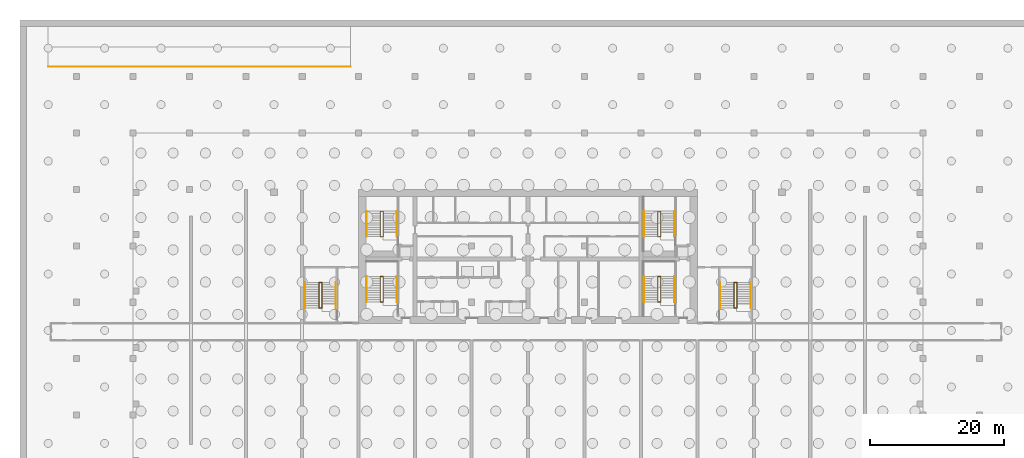
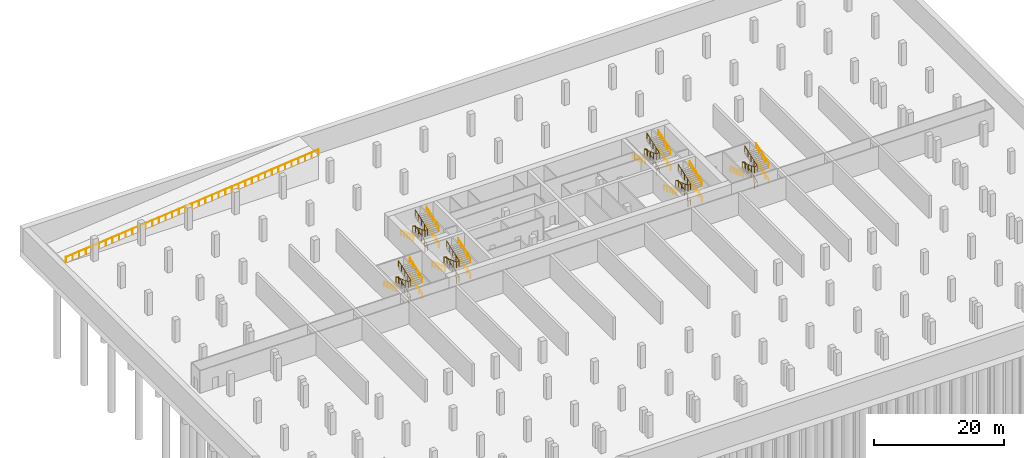
# One storey, part 16 of 17: 25 railings.
"""IFC4 building model written with IfcOpenShell, lengths in metres."""

from ifc_helpers import new_model, si_unit, direction, frame, origin, origin_2d, place, context, subcontext, project, spatial, circle, extrude, source, transform, mapped, material, type_object, element, save


model = new_model("IFC4")

# Units and contexts
model_context = context("Model", 3, precision=1e-05, world=origin(), true_north=direction((0.0, 1.0)))
body_context = subcontext(model_context, "Body", "Model", "MODEL_VIEW")
ifc_project = project(units=[si_unit("LENGTHUNIT", "METRE"), si_unit("AREAUNIT", "SQUARE_METRE"), si_unit("VOLUMEUNIT", "CUBIC_METRE"), si_unit("PLANEANGLEUNIT", "RADIAN"), si_unit("MASSUNIT", "GRAM", prefix="KILO")], contexts=[model_context])

# Site, building, storey
site_placement = place(None, origin())
site = spatial("IfcSite", under=ifc_project, at=site_placement, CompositionType="ELEMENT")
building_placement = place(site_placement, origin())
building = spatial("IfcBuilding", under=site, at=building_placement, Name="Vanashikhar Sky Hotel", CompositionType="ELEMENT")
storey_placement = place(building_placement, frame((0.0, 0.0, -13.5)))
storey = spatial("IfcBuildingStorey", under=building, at=storey_placement, Name="B3", CompositionType="ELEMENT", Elevation=-13.5)

# Railings
ifc_material = material(Name="Steel S355", Category="steel")
railing_type_1 = type_object("IfcRailingType", Name="Stair guard 1100", PredefinedType="GUARDRAIL", material=ifc_material)
shared_shape_1 = source(origin(), body_context, "Body", "SweptSolid", [
    extrude(circle(Radius=0.02392578125, at=origin_2d()), frame((0.0, 0.0, 1.076171875), z_axis=(0.963547848091, 0.0, 0.267536061943), x_axis=(0.0, 1.0, 0.0)), (0.0, 0.0, 1.0), 0.46728515625),
    extrude(circle(Radius=0.02392578125, at=origin_2d()), frame((0.4501953125, 0.0, 1.201171875), z_axis=(0.0, 0.940335516113, 0.340248610777), x_axis=(-1.0, 0.0, 0.0)), (0.0, 0.0, 1.0), 4.041259765625),
    extrude(circle(Radius=0.02392578125, at=origin_2d()), frame((0.4501953125, 3.800048828125, 2.576171875), z_axis=(-0.963547848091, 0.0, 0.267536061943), x_axis=(0.0, -1.0, 0.0)), (0.0, 0.0, 1.0), 0.46728515625),
    extrude(circle(Radius=0.02392578125, at=origin_2d()), frame((0.0, 3.800048828125, 2.701171875), z_axis=(0.0, -0.940335516113, 0.340248610777), x_axis=(1.0, 0.0, 0.0)), (0.0, 0.0, 1.0), 4.041259765625),
    extrude(circle(Radius=0.02392578125, at=origin_2d()), frame((0.0, 0.0, 4.076171875), z_axis=(0.963547848091, 0.0, 0.267536061943), x_axis=(0.0, 1.0, 0.0)), (0.0, 0.0, 1.0), 0.46728515625),
    extrude(circle(Radius=0.02392578125, at=origin_2d()), frame((0.4501953125, 0.0, 4.201171875), z_axis=(0.0, 0.940335516113, 0.340248610777), x_axis=(-1.0, 0.0, 0.0)), (0.0, 0.0, 1.0), 4.041259765625),
    extrude(circle(Radius=0.02099609375, at=origin_2d()), origin(), (0.0, 0.0, 1.0), 1.052001953125),
    extrude(circle(Radius=0.02099609375, at=origin_2d()), frame((0.4501953125, 0.0, 0.125)), (0.0, 0.0, 1.0), 1.052001953125),
    extrude(circle(Radius=0.02099609375, at=origin_2d()), frame((0.4501953125, 0.949951171875, 0.46875)), (0.0, 0.0, 1.0), 1.052001953125),
    extrude(circle(Radius=0.02099609375, at=origin_2d()), frame((0.4501953125, 1.89990234375, 0.8125)), (0.0, 0.0, 1.0), 1.052001953125),
    extrude(circle(Radius=0.02099609375, at=origin_2d()), frame((0.4501953125, 2.85009765625, 1.15625)), (0.0, 0.0, 1.0), 1.052001953125),
    extrude(circle(Radius=0.02099609375, at=origin_2d()), frame((0.4501953125, 3.800048828125, 1.5)), (0.0, 0.0, 1.0), 1.052001953125),
    extrude(circle(Radius=0.02099609375, at=origin_2d()), frame((0.0, 3.800048828125, 1.625)), (0.0, 0.0, 1.0), 1.052001953125),
    extrude(circle(Radius=0.02099609375, at=origin_2d()), frame((0.0, 2.85009765625, 1.96875)), (0.0, 0.0, 1.0), 1.052001953125),
    extrude(circle(Radius=0.02099609375, at=origin_2d()), frame((0.0, 1.89990234375, 2.3125)), (0.0, 0.0, 1.0), 1.052001953125),
    extrude(circle(Radius=0.02099609375, at=origin_2d()), frame((0.0, 0.949951171875, 2.65625)), (0.0, 0.0, 1.0), 1.052001953125),
    extrude(circle(Radius=0.02099609375, at=origin_2d()), frame((0.0, 0.0, 3.0)), (0.0, 0.0, 1.0), 1.052001953125),
    extrude(circle(Radius=0.02099609375, at=origin_2d()), frame((0.4501953125, 0.0, 3.125)), (0.0, 0.0, 1.0), 1.052001953125),
    extrude(circle(Radius=0.02099609375, at=origin_2d()), frame((0.4501953125, 0.949951171875, 3.46875)), (0.0, 0.0, 1.0), 1.052001953125),
    extrude(circle(Radius=0.02099609375, at=origin_2d()), frame((0.4501953125, 1.89990234375, 3.8125)), (0.0, 0.0, 1.0), 1.052001953125),
    extrude(circle(Radius=0.02099609375, at=origin_2d()), frame((0.4501953125, 2.85009765625, 4.15625)), (0.0, 0.0, 1.0), 1.052001953125),
    extrude(circle(Radius=0.02099609375, at=origin_2d()), frame((0.4501953125, 3.800048828125, 4.5)), (0.0, 0.0, 1.0), 1.052001953125),
])
for number, where, name in (
    (1, (28.39990234375, 25.25, 0.0), "Exit stair 1 guard"),
    (2, (28.39990234375, 34.949951171875, 0.0), "Exit stair 5 guard"),
):
    element("IfcRailing", number, at=place(storey_placement, frame(where)), inside=storey, type_object=railing_type_1, Name=name, PredefinedType="GUARDRAIL", context=body_context, shape_type="MappedRepresentation", body=[
        mapped(shared_shape_1, transform((0.0, 0.0, 0.0), scale=1.0)),
    ])
railing_type_2 = type_object("IfcRailingType", Name="Stair handrail 900", PredefinedType="HANDRAIL", material=ifc_material)
shared_shape_2 = source(origin(), body_context, "Body", "SweptSolid", [
    extrude(circle(Radius=0.02392578125, at=origin_2d()), frame((0.0, 0.0, 0.8759765625), z_axis=(0.0, 0.940335516113, 0.340248610777), x_axis=(-1.0, 0.0, 0.0)), (0.0, 0.0, 1.0), 4.041259765625),
    extrude(circle(Radius=0.02099609375, at=origin_2d()), origin(), (0.0, 0.0, 1.0), 0.851806640625),
    extrude(circle(Radius=0.02099609375, at=origin_2d()), frame((0.0, 0.949951171875, 0.34375)), (0.0, 0.0, 1.0), 0.851806640625),
    extrude(circle(Radius=0.02099609375, at=origin_2d()), frame((0.0, 1.89990234375, 0.6875)), (0.0, 0.0, 1.0), 0.851806640625),
    extrude(circle(Radius=0.02099609375, at=origin_2d()), frame((0.0, 2.85009765625, 1.03125)), (0.0, 0.0, 1.0), 0.851806640625),
    extrude(circle(Radius=0.02099609375, at=origin_2d()), frame((0.0, 3.800048828125, 1.375)), (0.0, 0.0, 1.0), 0.851806640625),
])
for number, where, name in (
    (3, (30.89990234375, 25.25, 0.125), "Exit stair 1 handrail"),
    (4, (30.89990234375, 25.25, 3.125), "Exit stair 1 handrail"),
    (5, (72.199951171875, 25.25, 0.125), "Exit stair 2 handrail"),
    (6, (72.199951171875, 25.25, 3.125), "Exit stair 2 handrail"),
    (7, (30.89990234375, 34.949951171875, 0.125), "Exit stair 5 handrail"),
    (8, (30.89990234375, 34.949951171875, 3.125), "Exit stair 5 handrail"),
    (9, (72.199951171875, 34.949951171875, 0.125), "Exit stair 6 handrail"),
    (10, (72.199951171875, 34.949951171875, 3.125), "Exit stair 6 handrail"),
):
    element("IfcRailing", number, at=place(storey_placement, frame(where)), inside=storey, type_object=railing_type_2, Name=name, PredefinedType="HANDRAIL", context=body_context, shape_type="MappedRepresentation", body=[
        mapped(shared_shape_2, transform((0.0, 0.0, 0.0), scale=1.0)),
    ])
shared_shape_3 = source(origin(), body_context, "Body", "SweptSolid", [
    extrude(circle(Radius=0.02392578125, at=origin_2d()), frame((0.0, 0.0, 0.8759765625), z_axis=(0.0, -0.940335516113, 0.340248610777), x_axis=(1.0, 0.0, 0.0)), (0.0, 0.0, 1.0), 4.041259765625),
    extrude(circle(Radius=0.02099609375, at=origin_2d()), origin(), (0.0, 0.0, 1.0), 0.851806640625),
    extrude(circle(Radius=0.02099609375, at=origin_2d()), frame((0.0, -0.949951171875, 0.34375)), (0.0, 0.0, 1.0), 0.851806640625),
    extrude(circle(Radius=0.02099609375, at=origin_2d()), frame((0.0, -1.89990234375, 0.6875)), (0.0, 0.0, 1.0), 0.851806640625),
    extrude(circle(Radius=0.02099609375, at=origin_2d()), frame((0.0, -2.85009765625, 1.03125)), (0.0, 0.0, 1.0), 0.851806640625),
    extrude(circle(Radius=0.02099609375, at=origin_2d()), frame((0.0, -3.800048828125, 1.375)), (0.0, 0.0, 1.0), 0.851806640625),
])
for number, where, name in (
    (11, (26.35009765625, 29.050048828125, 1.625), "Exit stair 1 handrail"),
    (12, (67.64990234375, 29.050048828125, 1.625), "Exit stair 2 handrail"),
    (13, (26.35009765625, 38.75, 1.625), "Exit stair 5 handrail"),
    (14, (67.64990234375, 38.75, 1.625), "Exit stair 6 handrail"),
):
    element("IfcRailing", number, at=place(storey_placement, frame(where)), inside=storey, type_object=railing_type_2, Name=name, PredefinedType="HANDRAIL", context=body_context, shape_type="MappedRepresentation", body=[
        mapped(shared_shape_3, transform((0.0, 0.0, 0.0), scale=1.0)),
    ])
shared_shape_4 = source(origin(), body_context, "Body", "SweptSolid", [
    extrude(circle(Radius=0.02392578125, at=origin_2d()), frame((0.0, 0.0, 1.076171875), z_axis=(0.963510419359, 0.0, 0.267670827299), x_axis=(0.0, 1.0, 0.0)), (0.0, 0.0, 1.0), 0.467041015625),
    extrude(circle(Radius=0.02392578125, at=origin_2d()), frame((0.449951171875, 0.0, 1.201171875), z_axis=(0.0, 0.940335516113, 0.340248610777), x_axis=(-1.0, 0.0, 0.0)), (0.0, 0.0, 1.0), 4.041259765625),
    extrude(circle(Radius=0.02392578125, at=origin_2d()), frame((0.449951171875, 3.800048828125, 2.576171875), z_axis=(-0.963510419359, 0.0, 0.267670827299), x_axis=(0.0, -1.0, 0.0)), (0.0, 0.0, 1.0), 0.467041015625),
    extrude(circle(Radius=0.02392578125, at=origin_2d()), frame((0.0, 3.800048828125, 2.701171875), z_axis=(0.0, -0.940335516113, 0.340248610777), x_axis=(1.0, 0.0, 0.0)), (0.0, 0.0, 1.0), 4.041259765625),
    extrude(circle(Radius=0.02392578125, at=origin_2d()), frame((0.0, 0.0, 4.076171875), z_axis=(0.963510419359, 0.0, 0.267670827299), x_axis=(0.0, 1.0, 0.0)), (0.0, 0.0, 1.0), 0.467041015625),
    extrude(circle(Radius=0.02392578125, at=origin_2d()), frame((0.449951171875, 0.0, 4.201171875), z_axis=(0.0, 0.940335516113, 0.340248610777), x_axis=(-1.0, 0.0, 0.0)), (0.0, 0.0, 1.0), 4.041259765625),
    extrude(circle(Radius=0.02099609375, at=origin_2d()), origin(), (0.0, 0.0, 1.0), 1.052001953125),
    extrude(circle(Radius=0.02099609375, at=origin_2d()), frame((0.449951171875, 0.0, 0.125)), (0.0, 0.0, 1.0), 1.052001953125),
    extrude(circle(Radius=0.02099609375, at=origin_2d()), frame((0.449951171875, 0.949951171875, 0.46875)), (0.0, 0.0, 1.0), 1.052001953125),
    extrude(circle(Radius=0.02099609375, at=origin_2d()), frame((0.449951171875, 1.89990234375, 0.8125)), (0.0, 0.0, 1.0), 1.052001953125),
    extrude(circle(Radius=0.02099609375, at=origin_2d()), frame((0.449951171875, 2.85009765625, 1.15625)), (0.0, 0.0, 1.0), 1.052001953125),
    extrude(circle(Radius=0.02099609375, at=origin_2d()), frame((0.449951171875, 3.800048828125, 1.5)), (0.0, 0.0, 1.0), 1.052001953125),
    extrude(circle(Radius=0.02099609375, at=origin_2d()), frame((0.0, 3.800048828125, 1.625)), (0.0, 0.0, 1.0), 1.052001953125),
    extrude(circle(Radius=0.02099609375, at=origin_2d()), frame((0.0, 2.85009765625, 1.96875)), (0.0, 0.0, 1.0), 1.052001953125),
    extrude(circle(Radius=0.02099609375, at=origin_2d()), frame((0.0, 1.89990234375, 2.3125)), (0.0, 0.0, 1.0), 1.052001953125),
    extrude(circle(Radius=0.02099609375, at=origin_2d()), frame((0.0, 0.949951171875, 2.65625)), (0.0, 0.0, 1.0), 1.052001953125),
    extrude(circle(Radius=0.02099609375, at=origin_2d()), frame((0.0, 0.0, 3.0)), (0.0, 0.0, 1.0), 1.052001953125),
    extrude(circle(Radius=0.02099609375, at=origin_2d()), frame((0.449951171875, 0.0, 3.125)), (0.0, 0.0, 1.0), 1.052001953125),
    extrude(circle(Radius=0.02099609375, at=origin_2d()), frame((0.449951171875, 0.949951171875, 3.46875)), (0.0, 0.0, 1.0), 1.052001953125),
    extrude(circle(Radius=0.02099609375, at=origin_2d()), frame((0.449951171875, 1.89990234375, 3.8125)), (0.0, 0.0, 1.0), 1.052001953125),
    extrude(circle(Radius=0.02099609375, at=origin_2d()), frame((0.449951171875, 2.85009765625, 4.15625)), (0.0, 0.0, 1.0), 1.052001953125),
    extrude(circle(Radius=0.02099609375, at=origin_2d()), frame((0.449951171875, 3.800048828125, 4.5)), (0.0, 0.0, 1.0), 1.052001953125),
])
for number, where, name in (
    (15, (69.699951171875, 25.25, 0.0), "Exit stair 2 guard"),
    (16, (69.699951171875, 34.949951171875, 0.0), "Exit stair 6 guard"),
):
    element("IfcRailing", number, at=place(storey_placement, frame(where)), inside=storey, type_object=railing_type_1, Name=name, PredefinedType="GUARDRAIL", context=body_context, shape_type="MappedRepresentation", body=[
        mapped(shared_shape_4, transform((0.0, 0.0, 0.0), scale=1.0)),
    ])
shared_shape_5 = source(origin(), body_context, "Body", "SweptSolid", [
    extrude(circle(Radius=0.02392578125, at=origin_2d()), frame((0.0, 0.0, 1.076171875), z_axis=(0.963510419359, 0.0, 0.267670827299), x_axis=(0.0, 1.0, 0.0)), (0.0, 0.0, 1.0), 0.467041015625),
    extrude(circle(Radius=0.02392578125, at=origin_2d()), frame((0.449951171875, 0.0, 1.201171875), z_axis=(0.0, 0.940328521504, 0.340267940961), x_axis=(-1.0, 0.0, 0.0)), (0.0, 0.0, 1.0), 4.041015625),
    extrude(circle(Radius=0.02392578125, at=origin_2d()), frame((0.449951171875, 3.7998046875, 2.576171875), z_axis=(-0.963510419359, 0.0, 0.267670827299), x_axis=(0.0, -1.0, 0.0)), (0.0, 0.0, 1.0), 0.467041015625),
    extrude(circle(Radius=0.02392578125, at=origin_2d()), frame((0.0, 3.7998046875, 2.701171875), z_axis=(0.0, -0.940328521504, 0.340267940961), x_axis=(1.0, 0.0, 0.0)), (0.0, 0.0, 1.0), 4.041015625),
    extrude(circle(Radius=0.02392578125, at=origin_2d()), frame((0.0, 0.0, 4.076171875), z_axis=(0.963510419359, 0.0, 0.267670827299), x_axis=(0.0, 1.0, 0.0)), (0.0, 0.0, 1.0), 0.467041015625),
    extrude(circle(Radius=0.02392578125, at=origin_2d()), frame((0.449951171875, 0.0, 4.201171875), z_axis=(0.0, 0.940328521504, 0.340267940961), x_axis=(-1.0, 0.0, 0.0)), (0.0, 0.0, 1.0), 4.041015625),
    extrude(circle(Radius=0.02099609375, at=origin_2d()), origin(), (0.0, 0.0, 1.0), 1.052001953125),
    extrude(circle(Radius=0.02099609375, at=origin_2d()), frame((0.449951171875, 0.0, 0.125)), (0.0, 0.0, 1.0), 1.052001953125),
    extrude(circle(Radius=0.02099609375, at=origin_2d()), frame((0.449951171875, 0.949951171875, 0.46875)), (0.0, 0.0, 1.0), 1.052001953125),
    extrude(circle(Radius=0.02099609375, at=origin_2d()), frame((0.449951171875, 1.89990234375, 0.8125)), (0.0, 0.0, 1.0), 1.052001953125),
    extrude(circle(Radius=0.02099609375, at=origin_2d()), frame((0.449951171875, 2.849853515625, 1.15625)), (0.0, 0.0, 1.0), 1.052001953125),
    extrude(circle(Radius=0.02099609375, at=origin_2d()), frame((0.449951171875, 3.7998046875, 1.5)), (0.0, 0.0, 1.0), 1.052001953125),
    extrude(circle(Radius=0.02099609375, at=origin_2d()), frame((0.0, 3.7998046875, 1.625)), (0.0, 0.0, 1.0), 1.052001953125),
    extrude(circle(Radius=0.02099609375, at=origin_2d()), frame((0.0, 2.849853515625, 1.96875)), (0.0, 0.0, 1.0), 1.052001953125),
    extrude(circle(Radius=0.02099609375, at=origin_2d()), frame((0.0, 1.89990234375, 2.3125)), (0.0, 0.0, 1.0), 1.052001953125),
    extrude(circle(Radius=0.02099609375, at=origin_2d()), frame((0.0, 0.949951171875, 2.65625)), (0.0, 0.0, 1.0), 1.052001953125),
    extrude(circle(Radius=0.02099609375, at=origin_2d()), frame((0.0, 0.0, 3.0)), (0.0, 0.0, 1.0), 1.052001953125),
    extrude(circle(Radius=0.02099609375, at=origin_2d()), frame((0.449951171875, 0.0, 3.125)), (0.0, 0.0, 1.0), 1.052001953125),
    extrude(circle(Radius=0.02099609375, at=origin_2d()), frame((0.449951171875, 0.949951171875, 3.46875)), (0.0, 0.0, 1.0), 1.052001953125),
    extrude(circle(Radius=0.02099609375, at=origin_2d()), frame((0.449951171875, 1.89990234375, 3.8125)), (0.0, 0.0, 1.0), 1.052001953125),
    extrude(circle(Radius=0.02099609375, at=origin_2d()), frame((0.449951171875, 2.849853515625, 4.15625)), (0.0, 0.0, 1.0), 1.052001953125),
    extrude(circle(Radius=0.02099609375, at=origin_2d()), frame((0.449951171875, 3.7998046875, 4.5)), (0.0, 0.0, 1.0), 1.052001953125),
])
for number, where, name in (
    (17, (19.300048828125, 24.35009765625, 0.0), "Exit stair 3 guard"),
    (18, (81.050048828125, 24.35009765625, 0.0), "Exit stair 4 guard"),
):
    element("IfcRailing", number, at=place(storey_placement, frame(where)), inside=storey, type_object=railing_type_1, Name=name, PredefinedType="GUARDRAIL", context=body_context, shape_type="MappedRepresentation", body=[
        mapped(shared_shape_5, transform((0.0, 0.0, 0.0), scale=1.0)),
    ])
shared_shape_6 = source(origin(), body_context, "Body", "SweptSolid", [
    extrude(circle(Radius=0.02392578125, at=origin_2d()), frame((0.0, 0.0, 0.8759765625), z_axis=(0.0, 0.940328521504, 0.340267940961), x_axis=(-1.0, 0.0, 0.0)), (0.0, 0.0, 1.0), 4.041015625),
    extrude(circle(Radius=0.02099609375, at=origin_2d()), origin(), (0.0, 0.0, 1.0), 0.851806640625),
    extrude(circle(Radius=0.02099609375, at=origin_2d()), frame((0.0, 0.949951171875, 0.34375)), (0.0, 0.0, 1.0), 0.851806640625),
    extrude(circle(Radius=0.02099609375, at=origin_2d()), frame((0.0, 1.89990234375, 0.6875)), (0.0, 0.0, 1.0), 0.851806640625),
    extrude(circle(Radius=0.02099609375, at=origin_2d()), frame((0.0, 2.849853515625, 1.03125)), (0.0, 0.0, 1.0), 0.851806640625),
    extrude(circle(Radius=0.02099609375, at=origin_2d()), frame((0.0, 3.7998046875, 1.375)), (0.0, 0.0, 1.0), 0.851806640625),
])
for number, where, name in (
    (19, (21.800048828125, 24.35009765625, 0.125), "Exit stair 3 handrail"),
    (20, (21.800048828125, 24.35009765625, 3.125), "Exit stair 3 handrail"),
    (21, (83.550048828125, 24.35009765625, 0.125), "Exit stair 4 handrail"),
    (22, (83.550048828125, 24.35009765625, 3.125), "Exit stair 4 handrail"),
):
    element("IfcRailing", number, at=place(storey_placement, frame(where)), inside=storey, type_object=railing_type_2, Name=name, PredefinedType="HANDRAIL", context=body_context, shape_type="MappedRepresentation", body=[
        mapped(shared_shape_6, transform((0.0, 0.0, 0.0), scale=1.0)),
    ])
shared_shape_7 = source(origin(), body_context, "Body", "SweptSolid", [
    extrude(circle(Radius=0.02392578125, at=origin_2d()), frame((0.0, 0.0, 0.8759765625), z_axis=(0.0, -0.940328521504, 0.340267940961), x_axis=(1.0, 0.0, 0.0)), (0.0, 0.0, 1.0), 4.041015625),
    extrude(circle(Radius=0.02099609375, at=origin_2d()), origin(), (0.0, 0.0, 1.0), 0.851806640625),
    extrude(circle(Radius=0.02099609375, at=origin_2d()), frame((0.0, -0.949951171875, 0.34375)), (0.0, 0.0, 1.0), 0.851806640625),
    extrude(circle(Radius=0.02099609375, at=origin_2d()), frame((0.0, -1.89990234375, 0.6875)), (0.0, 0.0, 1.0), 0.851806640625),
    extrude(circle(Radius=0.02099609375, at=origin_2d()), frame((0.0, -2.849853515625, 1.03125)), (0.0, 0.0, 1.0), 0.851806640625),
    extrude(circle(Radius=0.02099609375, at=origin_2d()), frame((0.0, -3.7998046875, 1.375)), (0.0, 0.0, 1.0), 0.851806640625),
])
for number, where, name in (
    (23, (17.25, 28.14990234375, 1.625), "Exit stair 3 handrail"),
    (24, (79.0, 28.14990234375, 1.625), "Exit stair 4 handrail"),
):
    element("IfcRailing", number, at=place(storey_placement, frame(where)), inside=storey, type_object=railing_type_2, Name=name, PredefinedType="HANDRAIL", context=body_context, shape_type="MappedRepresentation", body=[
        mapped(shared_shape_7, transform((0.0, 0.0, 0.0), scale=1.0)),
    ])
railing_type_3 = type_object("IfcRailingType", Name="Ramp edge guard 1100 mm", PredefinedType="GUARDRAIL", material=ifc_material)
shared_shape_8 = source(origin(), body_context, "Body", "SweptSolid", [
    extrude(circle(Radius=0.02392578125, at=origin_2d()), frame((0.0, 0.0, 1.076171875), z_axis=(-0.99503719021, 0.0, -0.099503719021), x_axis=(0.0, -1.0, 0.0)), (0.0, 0.0, 1.0), 45.224365234375),
    extrude(circle(Radius=0.02099609375, at=origin_2d()), origin(), (0.0, 0.0, 1.0), 1.052001953125),
    extrude(circle(Radius=0.02099609375, at=origin_2d()), frame((-1.184326171875, 0.0, -0.118408203125)), (0.0, 0.0, 1.0), 1.052001953125),
    extrude(circle(Radius=0.02099609375, at=origin_2d()), frame((-2.368408203125, 0.0, -0.23681640625)), (0.0, 0.0, 1.0), 1.052001953125),
    extrude(circle(Radius=0.02099609375, at=origin_2d()), frame((-3.552734375, 0.0, -0.355224609375)), (0.0, 0.0, 1.0), 1.052001953125),
    extrude(circle(Radius=0.02099609375, at=origin_2d()), frame((-4.73681640625, 0.0, -0.4736328125)), (0.0, 0.0, 1.0), 1.052001953125),
    extrude(circle(Radius=0.02099609375, at=origin_2d()), frame((-5.921142578125, 0.0, -0.592041015625)), (0.0, 0.0, 1.0), 1.052001953125),
    extrude(circle(Radius=0.02099609375, at=origin_2d()), frame((-7.105224609375, 0.0, -0.71044921875)), (0.0, 0.0, 1.0), 1.052001953125),
    extrude(circle(Radius=0.02099609375, at=origin_2d()), frame((-8.28955078125, 0.0, -0.828857421875)), (0.0, 0.0, 1.0), 1.052001953125),
    extrude(circle(Radius=0.02099609375, at=origin_2d()), frame((-9.4736328125, 0.0, -0.947265625)), (0.0, 0.0, 1.0), 1.052001953125),
    extrude(circle(Radius=0.02099609375, at=origin_2d()), frame((-10.657958984375, 0.0, -1.065673828125)), (0.0, 0.0, 1.0), 1.052001953125),
    extrude(circle(Radius=0.02099609375, at=origin_2d()), frame((-11.842041015625, 0.0, -1.184326171875)), (0.0, 0.0, 1.0), 1.052001953125),
    extrude(circle(Radius=0.02099609375, at=origin_2d()), frame((-13.0263671875, 0.0, -1.302734375)), (0.0, 0.0, 1.0), 1.052001953125),
    extrude(circle(Radius=0.02099609375, at=origin_2d()), frame((-14.21044921875, 0.0, -1.421142578125)), (0.0, 0.0, 1.0), 1.052001953125),
    extrude(circle(Radius=0.02099609375, at=origin_2d()), frame((-15.394775390625, 0.0, -1.53955078125)), (0.0, 0.0, 1.0), 1.052001953125),
    extrude(circle(Radius=0.02099609375, at=origin_2d()), frame((-16.578857421875, 0.0, -1.657958984375)), (0.0, 0.0, 1.0), 1.052001953125),
    extrude(circle(Radius=0.02099609375, at=origin_2d()), frame((-17.76318359375, 0.0, -1.7763671875)), (0.0, 0.0, 1.0), 1.052001953125),
    extrude(circle(Radius=0.02099609375, at=origin_2d()), frame((-18.947265625, 0.0, -1.894775390625)), (0.0, 0.0, 1.0), 1.052001953125),
    extrude(circle(Radius=0.02099609375, at=origin_2d()), frame((-20.131591796875, 0.0, -2.01318359375)), (0.0, 0.0, 1.0), 1.052001953125),
    extrude(circle(Radius=0.02099609375, at=origin_2d()), frame((-21.315673828125, 0.0, -2.131591796875)), (0.0, 0.0, 1.0), 1.052001953125),
    extrude(circle(Radius=0.02099609375, at=origin_2d()), frame((-22.5, 0.0, -2.25)), (0.0, 0.0, 1.0), 1.052001953125),
    extrude(circle(Radius=0.02099609375, at=origin_2d()), frame((-23.684326171875, 0.0, -2.368408203125)), (0.0, 0.0, 1.0), 1.052001953125),
    extrude(circle(Radius=0.02099609375, at=origin_2d()), frame((-24.868408203125, 0.0, -2.48681640625)), (0.0, 0.0, 1.0), 1.052001953125),
    extrude(circle(Radius=0.02099609375, at=origin_2d()), frame((-26.052734375, 0.0, -2.605224609375)), (0.0, 0.0, 1.0), 1.052001953125),
    extrude(circle(Radius=0.02099609375, at=origin_2d()), frame((-27.23681640625, 0.0, -2.7236328125)), (0.0, 0.0, 1.0), 1.052001953125),
    extrude(circle(Radius=0.02099609375, at=origin_2d()), frame((-28.421142578125, 0.0, -2.842041015625)), (0.0, 0.0, 1.0), 1.052001953125),
    extrude(circle(Radius=0.02099609375, at=origin_2d()), frame((-29.605224609375, 0.0, -2.96044921875)), (0.0, 0.0, 1.0), 1.052001953125),
    extrude(circle(Radius=0.02099609375, at=origin_2d()), frame((-30.78955078125, 0.0, -3.078857421875)), (0.0, 0.0, 1.0), 1.052001953125),
    extrude(circle(Radius=0.02099609375, at=origin_2d()), frame((-31.9736328125, 0.0, -3.197265625)), (0.0, 0.0, 1.0), 1.052001953125),
    extrude(circle(Radius=0.02099609375, at=origin_2d()), frame((-33.157958984375, 0.0, -3.315673828125)), (0.0, 0.0, 1.0), 1.052001953125),
    extrude(circle(Radius=0.02099609375, at=origin_2d()), frame((-34.342041015625, 0.0, -3.434326171875)), (0.0, 0.0, 1.0), 1.052001953125),
    extrude(circle(Radius=0.02099609375, at=origin_2d()), frame((-35.5263671875, 0.0, -3.552734375)), (0.0, 0.0, 1.0), 1.052001953125),
    extrude(circle(Radius=0.02099609375, at=origin_2d()), frame((-36.71044921875, 0.0, -3.671142578125)), (0.0, 0.0, 1.0), 1.052001953125),
    extrude(circle(Radius=0.02099609375, at=origin_2d()), frame((-37.894775390625, 0.0, -3.78955078125)), (0.0, 0.0, 1.0), 1.052001953125),
    extrude(circle(Radius=0.02099609375, at=origin_2d()), frame((-39.078857421875, 0.0, -3.907958984375)), (0.0, 0.0, 1.0), 1.052001953125),
    extrude(circle(Radius=0.02099609375, at=origin_2d()), frame((-40.26318359375, 0.0, -4.0263671875)), (0.0, 0.0, 1.0), 1.052001953125),
    extrude(circle(Radius=0.02099609375, at=origin_2d()), frame((-41.447265625, 0.0, -4.144775390625)), (0.0, 0.0, 1.0), 1.052001953125),
    extrude(circle(Radius=0.02099609375, at=origin_2d()), frame((-42.631591796875, 0.0, -4.26318359375)), (0.0, 0.0, 1.0), 1.052001953125),
    extrude(circle(Radius=0.02099609375, at=origin_2d()), frame((-43.815673828125, 0.0, -4.381591796875)), (0.0, 0.0, 1.0), 1.052001953125),
    extrude(circle(Radius=0.02099609375, at=origin_2d()), frame((-45.0, 0.0, -4.5)), (0.0, 0.0, 1.0), 1.052001953125),
])
railing_placement = place(storey_placement, frame((24.0, 60.25, 4.5)))
element("IfcRailing", 25, at=railing_placement, inside=storey, type_object=railing_type_3, Name="Ramp edge guard", PredefinedType="GUARDRAIL", context=body_context, shape_type="MappedRepresentation", body=[
    mapped(shared_shape_8, transform((0.0, 0.0, 0.0), scale=1.0)),
])

save(model, "model.ifc")
